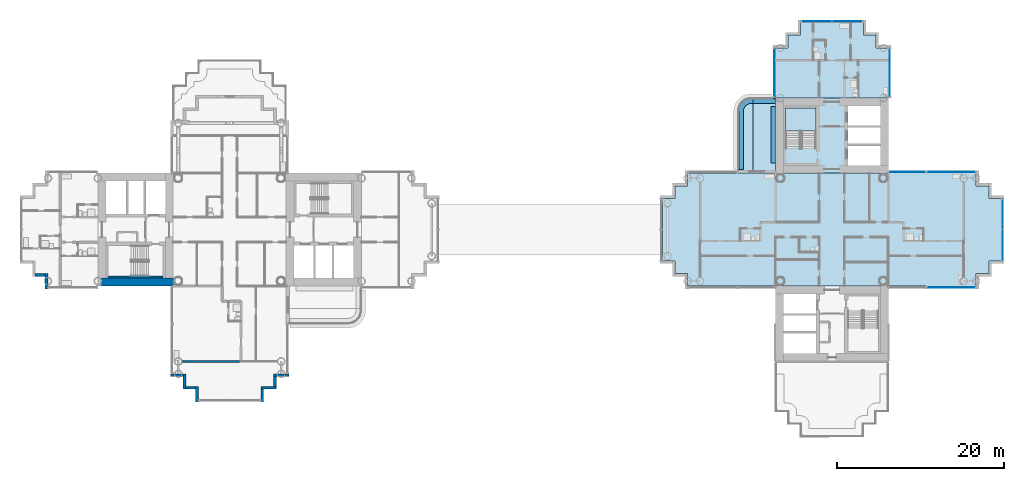
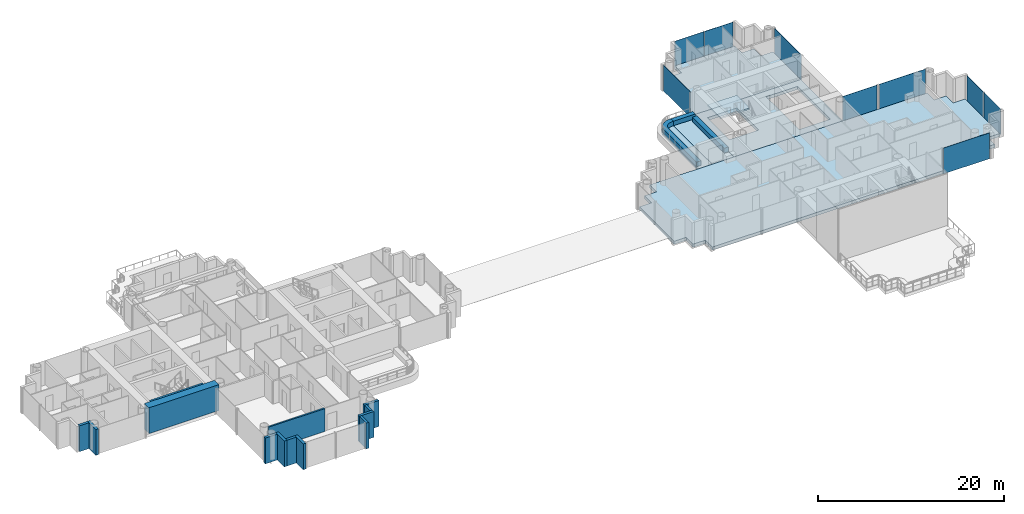
# One storey, part 9 of 22: 13 walls, 9 plates, 9 slabs, 8 elements without a shape of their own.
"""IFC4 building model written with IfcOpenShell, lengths in metres."""

from ifc_helpers import new_model, si_unit, direction, frame, frame_2d, origin, origin_2d, place, context, subcontext, project, spatial, polyline, rectangle, outline, extrude, material, layer, layer_set, type_object, element, aggregate, save


model = new_model("IFC4")

# Units and contexts
model_context = context("Model", 3, precision=1e-05, world=origin(), true_north=direction((0.0, 1.0)))
body_context = subcontext(model_context, "Body", "Model", "MODEL_VIEW")
ifc_project = project(units=[si_unit("LENGTHUNIT", "METRE"), si_unit("AREAUNIT", "SQUARE_METRE"), si_unit("VOLUMEUNIT", "CUBIC_METRE"), si_unit("PLANEANGLEUNIT", "RADIAN"), si_unit("MASSUNIT", "GRAM", prefix="KILO")], contexts=[model_context])

# Site, building, storey
site_placement = place(None, origin())
site = spatial("IfcSite", under=ifc_project, at=site_placement, CompositionType="ELEMENT")
building_placement = place(site_placement, origin())
building = spatial("IfcBuilding", under=site, at=building_placement, Name="Ipe Terrace Towers", CompositionType="ELEMENT")
storey_placement = place(building_placement, frame((0.0, 0.0, 76.60009765625)))
storey = spatial("IfcBuildingStorey", under=building, at=storey_placement, Name="L20", CompositionType="ELEMENT", Elevation=76.60009765625)

# Slabs
ifc_material_1 = material(Name="Concrete C30/37", Category="concrete")
ifc_layer_1 = layer(ifc_material_1, 0.199951171875)
ifc_layer_set_1 = layer_set([ifc_layer_1], Name="BALCONY SLAB 200")
slab_type_1 = type_object("IfcSlabType", Name="BALCONY SLAB 200", PredefinedType="FLOOR", material=ifc_layer_set_1)
slab_1_placement = place(storey_placement, frame((0.0, 0.0, -0.22021484375)))
element("IfcSlab", 1, at=slab_1_placement, inside=storey, type_object=slab_type_1, Name="balcony slab", PredefinedType="FLOOR", context=body_context, shape_type="SweptSolid", body=[
    extrude(outline(polyline([(29.25, 15.75), (26.550048828125, 15.75), (26.550048828125, 6.75), (29.25, 6.75), (29.25, 15.75)])), origin(), (0.0, 0.0, 1.0), 0.2001953125),
])
slab_2_placement = place(storey_placement, frame((0.0, 0.0, -0.22021484375)))
element("IfcSlab", 2, at=slab_2_placement, inside=storey, type_object=slab_type_1, Name="balcony slab", PredefinedType="FLOOR", context=body_context, shape_type="SweptSolid", body=[
    extrude(outline(polyline([(24.75, 6.75), (26.550048828125, 6.75), (26.550048828125, 15.75), (26.35009765625, 15.75), (26.14111328125, 15.736083984375), (25.93603515625, 15.695068359375), (25.738037109375, 15.6279296875), (25.550048828125, 15.535888671875), (25.3759765625, 15.4189453125), (25.218994140625, 15.281005859375), (25.0810546875, 15.1240234375), (24.964111328125, 14.949951171875), (24.8720703125, 14.761962890625), (24.804931640625, 14.56396484375), (24.763916015625, 14.35888671875), (24.75, 14.14990234375), (24.75, 6.75)])), origin(), (0.0, 0.0, 1.0), 0.2001953125),
])
ifc_material_2 = material(Name="Concrete C30/37", Category="concrete")
ifc_layer_2 = layer(ifc_material_2, 0.39990234375)
ifc_layer_set_2 = layer_set([ifc_layer_2], Name="CORE FLOOR SLAB 400 C30-37")
slab_type_2 = type_object("IfcSlabType", Name="CORE FLOOR SLAB 400 C30-37", PredefinedType="FLOOR", material=ifc_layer_set_2)
slab_3_placement = place(storey_placement, frame((0.0, 0.0, -0.400146484375)))
element("IfcSlab", 3, at=slab_3_placement, inside=storey, type_object=slab_type_2, Name="Core floor T2-C1", PredefinedType="FLOOR", context=body_context, shape_type="SweptSolid", body=[
    extrude(outline(polyline([(29.25, 6.75), (29.25, 15.75), (42.75, 15.75), (42.75, 6.75), (29.25, 6.75)]), holes=[polyline([(41.800048828125, 7.699951171875), (41.800048828125, 14.800048828125), (37.89990234375, 14.800048828125), (37.89990234375, 7.699951171875), (41.800048828125, 7.699951171875)]), polyline([(30.449951171875, 9.800048828125), (34.10009765625, 9.800048828125), (34.10009765625, 14.550048828125), (30.449951171875, 14.550048828125), (30.449951171875, 9.800048828125)])]), origin(), (0.0, 0.0, 1.0), 0.400146484375),
])

# Stair, slab
ifc_material_3 = material(Name="Concrete C30/37", Category="concrete")
stair_type = type_object("IfcStairType", Name="Protected exit stair", PredefinedType="HALF_TURN_STAIR", material=ifc_material_3)
stair_placement = place(storey_placement, origin())
stair = element("IfcStair", 4, at=stair_placement, inside=storey, type_object=stair_type, Name="L20 Exit stair T2-C1", PredefinedType="HALF_TURN_STAIR")
ifc_material_4 = material(Name="Concrete C30/37", Category="concrete")
ifc_layer_3 = layer(ifc_material_4, 0.199951171875)
ifc_layer_set_3 = layer_set([ifc_layer_3], Name="Exit stair landing 200")
slab_type_3 = type_object("IfcSlabType", Name="Exit stair landing 200", PredefinedType="LANDING", material=ifc_layer_set_3)
slab_4_placement = place(storey_placement, frame((0.0, 0.0, 1.5)))
slab_4 = element("IfcSlab", 5, at=slab_4_placement, type_object=slab_type_3, Name="T2-ST1 landing 1", PredefinedType="LANDING", context=body_context, shape_type="SweptSolid", body=[
    extrude(outline(polyline([(34.10009765625, 11.780029296875), (34.10009765625, 14.550048828125), (30.449951171875, 14.550048828125), (30.449951171875, 11.780029296875), (34.10009765625, 11.780029296875)])), origin(), (0.0, 0.0, 1.0), 0.199951171875),
])
aggregate(stair, [slab_4])

# Slabs
ifc_material_5 = material(Name="Concrete C40/50", Category="concrete")
ifc_layer_4 = layer(ifc_material_5, 0.39990234375)
ifc_layer_set_4 = layer_set([ifc_layer_4], Name="FLAT PLATE SLAB 400 C40-50")
slab_type_4 = type_object("IfcSlabType", Name="FLAT PLATE SLAB 400 C40-50", PredefinedType="FLOOR", material=ifc_layer_set_4)
slab_5_placement = place(storey_placement, frame((0.0, 0.0, -0.400146484375)))
element("IfcSlab", 6, at=slab_5_placement, inside=storey, type_object=slab_type_4, Name="Slab T2-FS-Z21", PredefinedType="FLOOR", context=body_context, shape_type="SweptSolid", body=[
    extrude(outline(polyline([(53.25, 5.25), (54.75, 5.25), (54.75, 3.75), (56.25, 3.75), (56.25, -3.75), (54.75, -3.75), (54.75, -5.25), (53.25, -5.25), (53.25, -6.75), (42.75, -6.75), (29.25, -6.75), (18.75, -6.75), (18.75, -5.25), (17.25, -5.25), (17.25, -3.75), (15.75, -3.75), (15.75, 3.75), (17.25, 3.75), (17.25, 5.25), (18.75, 5.25), (18.75, 6.75), (29.25, 6.75), (42.75, 6.75), (53.25, 6.75), (53.25, 5.25)])), origin(), (0.0, 0.0, 1.0), 0.400146484375),
])
slab_6_placement = place(storey_placement, frame((0.0, 0.0, -0.400146484375)))
element("IfcSlab", 7, at=slab_6_placement, inside=storey, type_object=slab_type_4, Name="Slab T2-FS-Z22", PredefinedType="FLOOR", context=body_context, shape_type="SweptSolid", body=[
    extrude(outline(polyline([(30.75, 21.75), (30.75, 23.25), (32.25, 23.25), (32.25, 24.75), (39.75, 24.75), (39.75, 23.25), (41.25, 23.25), (41.25, 21.75), (42.75, 21.75), (42.75, 15.75), (29.25, 15.75), (29.25, 21.75), (30.75, 21.75)])), origin(), (0.0, 0.0, 1.0), 0.400146484375),
])
ifc_material_6 = material(Name="Concrete C30/37", Category="concrete")
ifc_layer_5 = layer(ifc_material_6, 0.60009765625)
ifc_layer_set_5 = layer_set([ifc_layer_5], Name="PLANTER TROUGH 550 x 600")
slab_type_5 = type_object("IfcSlabType", Name="PLANTER TROUGH 550 x 600", PredefinedType="USERDEFINED", material=ifc_layer_set_5)
slab_7_placement = place(storey_placement, frame((0.0, 0.0, -0.02001953125)))
element("IfcSlab", 8, at=slab_7_placement, inside=storey, type_object=slab_type_5, Name="planter", ObjectType="PLANTER", PredefinedType="USERDEFINED", context=body_context, shape_type="SweptSolid", body=[
    extrude(outline(polyline([(29.25, 15.639892578125), (26.550048828125, 15.639892578125), (26.550048828125, 15.090087890625), (29.25, 15.090087890625), (29.25, 15.639892578125)])), origin(), (0.0, 0.0, 1.0), 0.599853515625),
])
slab_8_placement = place(storey_placement, frame((0.0, 0.0, -0.02001953125)))
element("IfcSlab", 9, at=slab_8_placement, inside=storey, type_object=slab_type_5, Name="planter", ObjectType="PLANTER", PredefinedType="USERDEFINED", context=body_context, shape_type="SweptSolid", body=[
    extrude(outline(polyline([(26.10693359375, 15.056884765625), (26.22705078125, 15.0810546875), (26.3720703125, 15.090087890625), (26.550048828125, 15.090087890625), (26.550048828125, 15.639892578125), (26.363037109375, 15.639892578125), (26.344970703125, 15.638916015625), (26.174072265625, 15.6279296875), (26.137939453125, 15.6240234375), (25.98193359375, 15.593017578125), (25.947021484375, 15.5830078125), (25.797119140625, 15.531982421875), (25.763916015625, 15.51806640625), (25.62109375, 15.447998046875), (25.590087890625, 15.429931640625), (25.4580078125, 15.342041015625), (25.429931640625, 15.320068359375), (25.31005859375, 15.215087890625), (25.284912109375, 15.18994140625), (25.179931640625, 15.070068359375), (25.157958984375, 15.0419921875), (25.070068359375, 14.909912109375), (25.052001953125, 14.87890625), (24.98193359375, 14.736083984375), (24.968017578125, 14.702880859375), (24.9169921875, 14.552978515625), (24.906982421875, 14.51806640625), (24.8759765625, 14.362060546875), (24.8720703125, 14.325927734375), (24.861083984375, 14.155029296875), (24.860107421875, 14.136962890625), (24.860107421875, 7.199951171875), (25.409912109375, 7.199951171875), (25.409912109375, 14.1279296875), (25.4189453125, 14.27294921875), (25.443115234375, 14.39306640625), (25.48291015625, 14.509033203125), (25.537109375, 14.618896484375), (25.60498046875, 14.720947265625), (25.68603515625, 14.81396484375), (25.779052734375, 14.89501953125), (25.881103515625, 14.962890625), (25.990966796875, 15.01708984375), (26.10693359375, 15.056884765625)])), origin(), (0.0, 0.0, 1.0), 0.599853515625),
])
slab_9_placement = place(storey_placement, frame((0.0, 0.0, -0.02001953125)))
element("IfcSlab", 10, at=slab_9_placement, inside=storey, type_object=slab_type_5, Name="planter", ObjectType="PLANTER", PredefinedType="USERDEFINED", context=body_context, shape_type="SweptSolid", body=[
    extrude(outline(polyline([(29.25, 7.949951171875), (29.25, 14.75), (28.699951171875, 14.75), (28.699951171875, 7.949951171875), (29.25, 7.949951171875)])), origin(), (0.0, 0.0, 1.0), 0.599853515625),
])

# Curtain wall, plate
ifc_material_7 = material(Name="Aluminium alloy 6063-T6", Category="aluminium")
ifc_layer_6 = layer(ifc_material_7, 0.320068359375)
ifc_layer_set_6 = layer_set([ifc_layer_6], Name="TOWER UNITISED CURTAIN WALL")
curtain_wall_type = type_object("IfcCurtainWallType", Name="TOWER UNITISED CURTAIN WALL", PredefinedType="NOTDEFINED", material=ifc_layer_set_6)
curtain_wall_1_placement = place(storey_placement, origin())
curtain_wall_1 = element("IfcCurtainWall", 11, at=curtain_wall_1_placement, inside=storey, type_object=curtain_wall_type, Name="T2-CW-L20-03a curtain wall", PredefinedType="NOTDEFINED")
ifc_material_8 = material(Name="Glass, clear laminated", Category="glass")
ifc_layer_7 = layer(ifc_material_8, 0.031982421875)
ifc_layer_set_7 = layer_set([ifc_layer_7], Name="TOWER UNITISED GLASS PANEL 32")
plate_type = type_object("IfcPlateType", Name="TOWER UNITISED GLASS PANEL 32", PredefinedType="CURTAIN_PANEL", material=ifc_layer_set_7)
plate_1_placement = place(storey_placement, frame((50.25, -6.909912109375, -0.300048828125), z_axis=(0.0, 0.0, 1.0), x_axis=(1.0, 0.0, 0.0)))
plate_1 = element("IfcPlate", 12, at=plate_1_placement, type_object=plate_type, Name="T2-CW-L20-03a panel 1", PredefinedType="CURTAIN_PANEL", context=body_context, shape_type="SweptSolid", body=[
    extrude(rectangle(XDim=5.760009765625, YDim=0.031982421875, at=origin_2d()), origin(), (0.0, 0.0, 1.0), 3.39990234375),
])
aggregate(curtain_wall_1, [plate_1])

# Curtain wall, plates
curtain_wall_2_placement = place(storey_placement, origin())
curtain_wall_2 = element("IfcCurtainWall", 13, at=curtain_wall_2_placement, inside=storey, type_object=curtain_wall_type, Name="T2-CW-L20-08a curtain wall", PredefinedType="NOTDEFINED")
plate_2_placement = place(storey_placement, frame((56.409912109375, -1.831298828125, -0.300048828125), z_axis=(0.0, 0.0, 1.0), x_axis=(0.0, 1.0, 0.0)))
plate_2 = element("IfcPlate", 14, at=plate_2_placement, type_object=plate_type, Name="T2-CW-L20-08a panel 1", PredefinedType="CURTAIN_PANEL", context=body_context, shape_type="SweptSolid", body=[
    extrude(rectangle(XDim=3.597412109375, YDim=0.031982421875, at=origin_2d()), origin(), (0.0, 0.0, 1.0), 3.39990234375),
])
plate_3_placement = place(storey_placement, frame((56.409912109375, 1.831298828125, -0.300048828125), z_axis=(0.0, 0.0, 1.0), x_axis=(0.0, 1.0, 0.0)))
plate_3 = element("IfcPlate", 15, at=plate_3_placement, type_object=plate_type, Name="T2-CW-L20-08a panel 2", PredefinedType="CURTAIN_PANEL", context=body_context, shape_type="SweptSolid", body=[
    extrude(rectangle(XDim=3.597412109375, YDim=0.031982421875, at=origin_2d()), origin(), (0.0, 0.0, 1.0), 3.39990234375),
])
aggregate(curtain_wall_2, [plate_2, plate_3])

# Curtain wall, plate
curtain_wall_3_placement = place(storey_placement, origin())
curtain_wall_3 = element("IfcCurtainWall", 16, at=curtain_wall_3_placement, inside=storey, type_object=curtain_wall_type, Name="T2-CW-L20-13a curtain wall", PredefinedType="NOTDEFINED")
plate_4_placement = place(storey_placement, frame((50.25, 6.909912109375, -0.300048828125), z_axis=(0.0, 0.0, 1.0), x_axis=(-1.0, 0.0, 0.0)))
plate_4 = element("IfcPlate", 17, at=plate_4_placement, type_object=plate_type, Name="T2-CW-L20-13a panel 1", PredefinedType="CURTAIN_PANEL", context=body_context, shape_type="SweptSolid", body=[
    extrude(rectangle(XDim=5.760009765625, YDim=0.031982421875, at=origin_2d()), origin(), (0.0, 0.0, 1.0), 3.39990234375),
])
aggregate(curtain_wall_3, [plate_4])

curtain_wall_4_placement = place(storey_placement, origin())
curtain_wall_4 = element("IfcCurtainWall", 18, at=curtain_wall_4_placement, inside=storey, type_object=curtain_wall_type, Name="T2-CW-L20-14a curtain wall", PredefinedType="NOTDEFINED")
plate_5_placement = place(storey_placement, frame((45.0, 6.909912109375, -0.300048828125), z_axis=(0.0, 0.0, 1.0), x_axis=(-1.0, 0.0, 0.0)))
plate_5 = element("IfcPlate", 19, at=plate_5_placement, type_object=plate_type, Name="T2-CW-L20-14a panel 1", PredefinedType="CURTAIN_PANEL", context=body_context, shape_type="SweptSolid", body=[
    extrude(rectangle(XDim=4.260009765625, YDim=0.031982421875, at=origin_2d()), origin(), (0.0, 0.0, 1.0), 3.39990234375),
])
aggregate(curtain_wall_4, [plate_5])

curtain_wall_5_placement = place(storey_placement, origin())
curtain_wall_5 = element("IfcCurtainWall", 20, at=curtain_wall_5_placement, inside=storey, type_object=curtain_wall_type, Name="T2-CW-L20-16b curtain wall", PredefinedType="NOTDEFINED")
plate_6_placement = place(storey_placement, frame((42.909912109375, 18.75048828125, -0.300048828125), z_axis=(0.0, 0.0, 1.0), x_axis=(0.0, 1.0, 0.0)))
plate_6 = element("IfcPlate", 21, at=plate_6_placement, type_object=plate_type, Name="T2-CW-L20-16b panel 1", PredefinedType="CURTAIN_PANEL", context=body_context, shape_type="SweptSolid", body=[
    extrude(rectangle(XDim=5.759033203125, YDim=0.031982421875, at=origin_2d()), origin(), (0.0, 0.0, 1.0), 3.39990234375),
])
aggregate(curtain_wall_5, [plate_6])

# Curtain wall, plates
curtain_wall_6_placement = place(storey_placement, origin())
curtain_wall_6 = element("IfcCurtainWall", 22, at=curtain_wall_6_placement, inside=storey, type_object=curtain_wall_type, Name="T2-CW-L20-21a curtain wall", PredefinedType="NOTDEFINED")
plate_7_placement = place(storey_placement, frame((37.831298828125, 24.909912109375, -0.300048828125), z_axis=(0.0, 0.0, 1.0), x_axis=(-1.0, 0.0, 0.0)))
plate_7 = element("IfcPlate", 23, at=plate_7_placement, type_object=plate_type, Name="T2-CW-L20-21a panel 1", PredefinedType="CURTAIN_PANEL", context=body_context, shape_type="SweptSolid", body=[
    extrude(rectangle(XDim=3.597412109375, YDim=0.031982421875, at=origin_2d()), origin(), (0.0, 0.0, 1.0), 3.39990234375),
])
plate_8_placement = place(storey_placement, frame((34.168701171875, 24.909912109375, -0.300048828125), z_axis=(0.0, 0.0, 1.0), x_axis=(-1.0, 0.0, 0.0)))
plate_8 = element("IfcPlate", 24, at=plate_8_placement, type_object=plate_type, Name="T2-CW-L20-21a panel 2", PredefinedType="CURTAIN_PANEL", context=body_context, shape_type="SweptSolid", body=[
    extrude(rectangle(XDim=3.597412109375, YDim=0.031982421875, at=origin_2d()), origin(), (0.0, 0.0, 1.0), 3.39990234375),
])
aggregate(curtain_wall_6, [plate_7, plate_8])

# Curtain wall, plate
curtain_wall_7_placement = place(storey_placement, origin())
curtain_wall_7 = element("IfcCurtainWall", 25, at=curtain_wall_7_placement, inside=storey, type_object=curtain_wall_type, Name="T2-CW-L20-26a curtain wall", PredefinedType="NOTDEFINED")
plate_9_placement = place(storey_placement, frame((29.090087890625, 18.75048828125, -0.300048828125), z_axis=(0.0, 0.0, 1.0), x_axis=(0.0, -1.0, 0.0)))
plate_9 = element("IfcPlate", 26, at=plate_9_placement, type_object=plate_type, Name="T2-CW-L20-26a panel 1", PredefinedType="CURTAIN_PANEL", context=body_context, shape_type="SweptSolid", body=[
    extrude(rectangle(XDim=5.759033203125, YDim=0.031982421875, at=origin_2d()), origin(), (0.0, 0.0, 1.0), 3.39990234375),
])
aggregate(curtain_wall_7, [plate_9])

# Walls
ifc_material_9 = material(Name="Concrete C40/50 with buff precast cladding", Category="concrete")
ifc_layer_8 = layer(ifc_material_9, 0.320068359375)
ifc_layer_set_8 = layer_set([ifc_layer_8], Name="BUFF CLADDING WALL 320")
wall_type_1 = type_object("IfcWallType", Name="BUFF CLADDING WALL 320", PredefinedType="STANDARD", material=ifc_layer_set_8)
wall_1_placement = place(storey_placement, frame((-59.25, -5.409912109375, -0.300048828125), z_axis=(0.0, 0.0, 1.0), x_axis=(1.0, 0.0, 0.0)))
element("IfcWall", 27, at=wall_1_placement, inside=storey, type_object=wall_type_1, Name="T1-W-L20-02a wall", PredefinedType="STANDARD", context=body_context, shape_type="SweptSolid", body=[
    extrude(rectangle(XDim=1.179931640625, YDim=0.320068359375, at=frame_2d((0.58984375, 0.0))), origin(), (0.0, 0.0, 1.0), 3.39990234375),
])
wall_2_placement = place(storey_placement, frame((-57.909912109375, -5.25, -0.300048828125), z_axis=(0.0, 0.0, 1.0), x_axis=(0.0, -1.0, 0.0)))
element("IfcWall", 28, at=wall_2_placement, inside=storey, type_object=wall_type_1, Name="T1-W-L20-03a wall", PredefinedType="STANDARD", context=body_context, shape_type="SweptSolid", body=[
    extrude(rectangle(XDim=1.820068359375, YDim=0.320068359375, at=frame_2d((0.91015625, 0.0))), origin(), (0.0, 0.0, 1.0), 3.39990234375),
])
wall_3_placement = place(storey_placement, frame((-43.070068359375, -17.409912109375, -0.300048828125), z_axis=(0.0, 0.0, 1.0), x_axis=(1.0, 0.0, 0.0)))
element("IfcWall", 29, at=wall_3_placement, inside=storey, type_object=wall_type_1, Name="T1-W-L20-08a wall", PredefinedType="STANDARD", context=body_context, shape_type="SweptSolid", body=[
    extrude(rectangle(XDim=1.5, YDim=0.320068359375, at=frame_2d((0.75, 0.0))), origin(), (0.0, 0.0, 1.0), 3.39990234375),
])
wall_4_placement = place(storey_placement, frame((-41.409912109375, -17.25, -0.300048828125), z_axis=(0.0, 0.0, 1.0), x_axis=(0.0, -1.0, 0.0)))
element("IfcWall", 30, at=wall_4_placement, inside=storey, type_object=wall_type_1, Name="T1-W-L20-09a wall", PredefinedType="STANDARD", context=body_context, shape_type="SweptSolid", body=[
    extrude(rectangle(XDim=1.820068359375, YDim=0.320068359375, at=frame_2d((0.91015625, 0.0))), origin(), (0.0, 0.0, 1.0), 3.39990234375),
])
wall_5_placement = place(storey_placement, frame((-41.25, -18.909912109375, -0.300048828125), z_axis=(0.0, 0.0, 1.0), x_axis=(1.0, 0.0, 0.0)))
element("IfcWall", 31, at=wall_5_placement, inside=storey, type_object=wall_type_1, Name="T1-W-L20-10a wall", PredefinedType="STANDARD", context=body_context, shape_type="SweptSolid", body=[
    extrude(rectangle(XDim=1.179931640625, YDim=0.320068359375, at=frame_2d((0.58984375, 0.0))), origin(), (0.0, 0.0, 1.0), 3.39990234375),
])
wall_6_placement = place(storey_placement, frame((-39.909912109375, -18.75, -0.300048828125), z_axis=(0.0, 0.0, 1.0), x_axis=(0.0, -1.0, 0.0)))
element("IfcWall", 32, at=wall_6_placement, inside=storey, type_object=wall_type_1, Name="T1-W-L20-11a wall", PredefinedType="STANDARD", context=body_context, shape_type="SweptSolid", body=[
    extrude(rectangle(XDim=1.820068359375, YDim=0.320068359375, at=frame_2d((0.91015625, 0.0))), origin(), (0.0, 0.0, 1.0), 3.39990234375),
])
wall_7_placement = place(storey_placement, frame((-32.090087890625, -20.570068359375, -0.300048828125), z_axis=(0.0, 0.0, 1.0), x_axis=(0.0, 1.0, 0.0)))
element("IfcWall", 33, at=wall_7_placement, inside=storey, type_object=wall_type_1, Name="T1-W-L20-13a wall", PredefinedType="STANDARD", context=body_context, shape_type="SweptSolid", body=[
    extrude(rectangle(XDim=1.5, YDim=0.320068359375, at=frame_2d((0.75, 0.0))), origin(), (0.0, 0.0, 1.0), 3.39990234375),
])
wall_8_placement = place(storey_placement, frame((-32.25, -18.909912109375, -0.300048828125), z_axis=(0.0, 0.0, 1.0), x_axis=(1.0, 0.0, 0.0)))
element("IfcWall", 34, at=wall_8_placement, inside=storey, type_object=wall_type_1, Name="T1-W-L20-14a wall", PredefinedType="STANDARD", context=body_context, shape_type="SweptSolid", body=[
    extrude(rectangle(XDim=1.820068359375, YDim=0.320068359375, at=frame_2d((0.91015625, 0.0))), origin(), (0.0, 0.0, 1.0), 3.39990234375),
])
wall_9_placement = place(storey_placement, frame((-30.590087890625, -18.75, -0.300048828125), z_axis=(0.0, 0.0, 1.0), x_axis=(0.0, 1.0, 0.0)))
element("IfcWall", 35, at=wall_9_placement, inside=storey, type_object=wall_type_1, Name="T1-W-L20-15a wall", PredefinedType="STANDARD", context=body_context, shape_type="SweptSolid", body=[
    extrude(rectangle(XDim=1.179931640625, YDim=0.320068359375, at=frame_2d((0.58984375, 0.0))), origin(), (0.0, 0.0, 1.0), 3.39990234375),
])
wall_10_placement = place(storey_placement, frame((-30.75, -17.409912109375, -0.300048828125), z_axis=(0.0, 0.0, 1.0), x_axis=(1.0, 0.0, 0.0)))
element("IfcWall", 36, at=wall_10_placement, inside=storey, type_object=wall_type_1, Name="T1-W-L20-16a wall", PredefinedType="STANDARD", context=body_context, shape_type="SweptSolid", body=[
    extrude(rectangle(XDim=1.820068359375, YDim=0.320068359375, at=frame_2d((0.91015625, 0.0))), origin(), (0.0, 0.0, 1.0), 3.39990234375),
])
ifc_material_10 = material(Name="Gypsum board party wall", Category="plasterboard")
ifc_layer_9 = layer(ifc_material_10, 0.199951171875)
ifc_layer_set_9 = layer_set([ifc_layer_9], Name="Gypsum board party wall 200 mm")
wall_type_2 = type_object("IfcWallType", Name="Gypsum board party wall 200 mm", PredefinedType="SOLIDWALL", material=ifc_layer_set_9)
wall_11_placement = place(storey_placement, frame((-41.699951171875, -15.75, 0.0), z_axis=(0.0, 0.0, 1.0), x_axis=(1.0, 0.0, 0.0)))
element("IfcWall", 37, at=wall_11_placement, inside=storey, type_object=wall_type_2, Name="Gypsum board party wall T1 L20 W19", PredefinedType="SOLIDWALL", context=body_context, shape_type="SweptSolid", body=[
    extrude(rectangle(XDim=7.050048828125, YDim=0.199951171875, at=frame_2d((3.52490234375, 0.0))), origin(), (0.0, 0.0, 1.0), 3.0),
])
ifc_material_11 = material(Name="Concrete C50/60", Category="concrete")
ifc_layer_10 = layer(ifc_material_11, 0.25)
ifc_layer_set_10 = layer_set([ifc_layer_10], Name="RW250 CORE INFILL WALL 250 C50-60")
wall_type_3 = type_object("IfcWallType", Name="RW250 CORE INFILL WALL 250 C50-60", PredefinedType="SHEAR", material=ifc_layer_set_10)
wall_12_placement = place(storey_placement, frame((-43.949951171875, -5.675048828125, 0.0), z_axis=(0.0, 0.0, 1.0), x_axis=(-1.0, 0.0, 0.0)))
element("IfcWall", 38, at=wall_12_placement, inside=storey, type_object=wall_type_3, Name="Core infill wall T1-C2-back", PredefinedType="SHEAR", context=body_context, shape_type="SweptSolid", body=[
    extrude(rectangle(XDim=6.60009765625, YDim=0.25, at=frame_2d((3.300048828125, 0.0))), origin(), (0.0, 0.0, 1.0), 3.39990234375),
])
ifc_material_12 = material(Name="Concrete C50/60", Category="concrete")
ifc_layer_11 = layer(ifc_material_12, 0.949951171875)
ifc_layer_set_11 = layer_set([ifc_layer_11], Name="RW950 CORE WALL 950 C50-60")
wall_type_4 = type_object("IfcWallType", Name="RW950 CORE WALL 950 C50-60", PredefinedType="SHEAR", material=ifc_layer_set_11)
wall_13_placement = place(storey_placement, frame((-51.298095703125, -6.27490234375, 0.0), z_axis=(0.0, 0.0, 1.0), x_axis=(1.0, 0.0, 0.0)))
element("IfcWall", 39, at=wall_13_placement, inside=storey, type_object=wall_type_4, Name="Core wall T1-C2-Z2-W01", PredefinedType="SHEAR", context=body_context, shape_type="SweptSolid", body=[
    extrude(rectangle(XDim=8.696044921875, YDim=0.949951171875, at=frame_2d((4.34814453125, 0.0))), origin(), (0.0, 0.0, 1.0), 3.39990234375),
])

save(model, "model.ifc")
